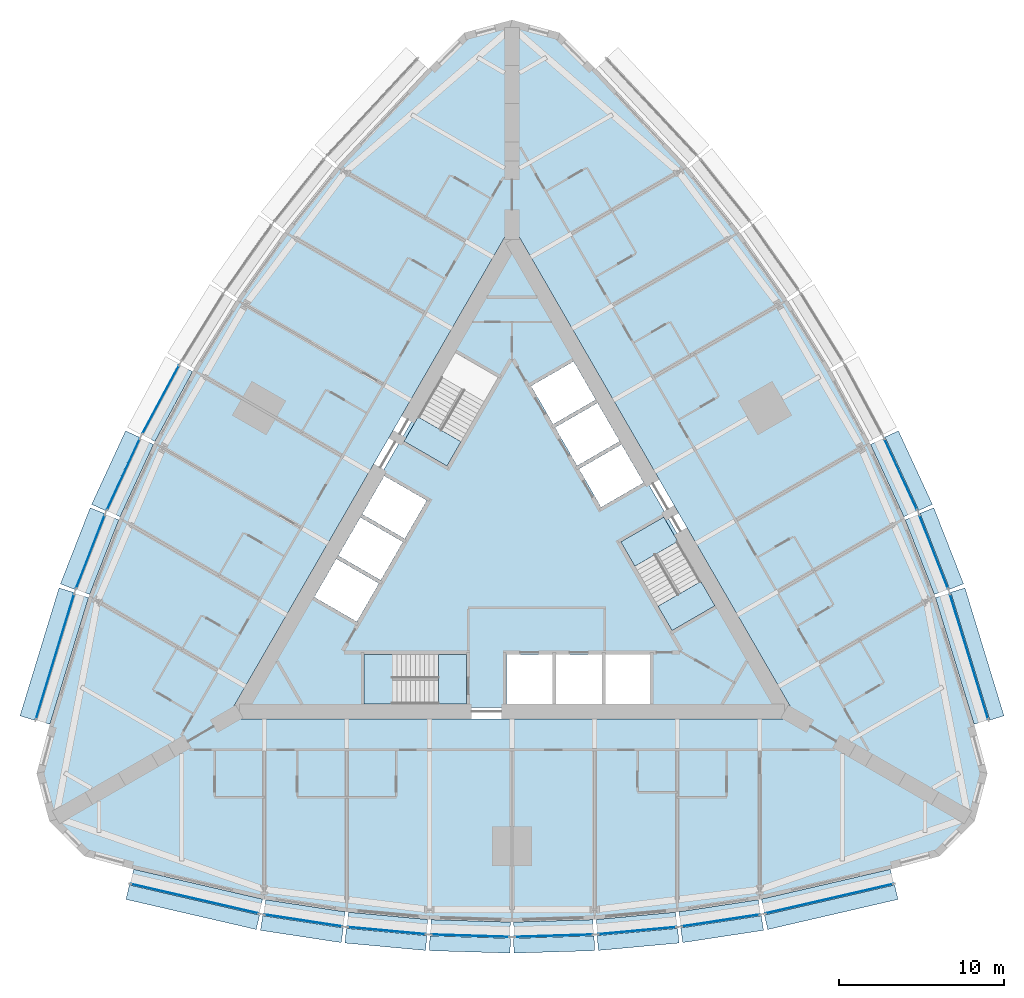
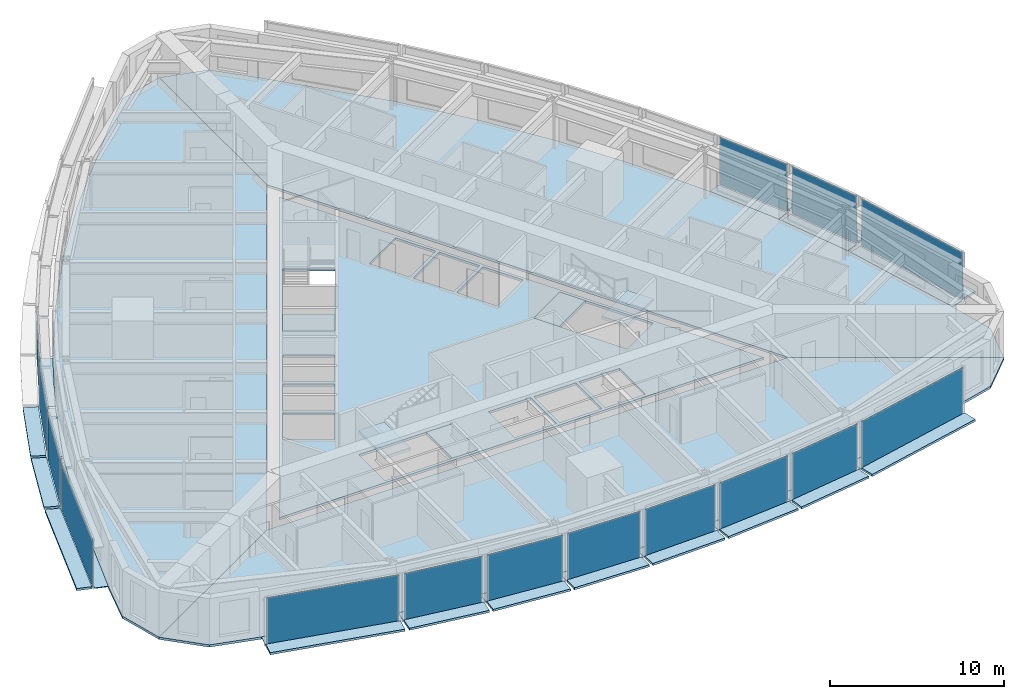
# One storey, part 6 of 14: 44 plates, 9 slabs, 18 elements without a shape of their own.
"""IFC4 building model written with IfcOpenShell, lengths in metres."""

from ifc_helpers import new_model, si_unit, direction, frame, origin, origin_2d, place, context, subcontext, project, spatial, polyline, rectangle, outline, extrude, material, layer, layer_set, type_object, element, aggregate, save


model = new_model("IFC4")

# Units and contexts
model_context = context("Model", 3, precision=1e-05, world=origin(), true_north=direction((0.0, 1.0)))
body_context = subcontext(model_context, "Body", "Model", "MODEL_VIEW")
ifc_project = project(units=[si_unit("LENGTHUNIT", "METRE"), si_unit("AREAUNIT", "SQUARE_METRE"), si_unit("VOLUMEUNIT", "CUBIC_METRE"), si_unit("PLANEANGLEUNIT", "RADIAN"), si_unit("MASSUNIT", "GRAM", prefix="KILO")], contexts=[model_context])

# Site, building, storey
site_placement = place(None, origin())
site = spatial("IfcSite", under=ifc_project, at=site_placement, CompositionType="ELEMENT")
building_placement = place(site_placement, origin())
building = spatial("IfcBuilding", under=site, at=building_placement, Name="Trikona Tower", CompositionType="ELEMENT")
storey_placement = place(building_placement, frame((0.0, 0.0, 42.10009765625)))
storey = spatial("IfcBuildingStorey", under=building, at=storey_placement, Name="L09", CompositionType="ELEMENT", Elevation=42.10009765625)

# Plates
ifc_material_1 = material(Name="Aluminium bar grating", Category="aluminium")
ifc_layer_1 = layer(ifc_material_1, 0.050048828125)
ifc_layer_set_1 = layer_set([ifc_layer_1], Name="Cavity catwalk grating")
plate_type_1 = type_object("IfcPlateType", Name="Cavity catwalk grating", PredefinedType="USERDEFINED", material=ifc_layer_set_1)
plate_1_placement = place(storey_placement, frame((-19.09228515625, -20.377197265625, -0.05029296875), z_axis=(0.0, 0.0, 1.0), x_axis=(0.974277718622, -0.225350675607, 0.0)))
element("IfcPlate", 1, at=plate_1_placement, inside=storey, type_object=plate_type_1, Name="Cavity catwalk L09-00", ObjectType="CATWALK GRATING", PredefinedType="USERDEFINED", context=body_context, shape_type="SweptSolid", body=[
    extrude(rectangle(XDim=8.01123046875, YDim=0.820068359375, at=origin_2d()), origin(), (0.0, 0.0, 1.0), 0.050048828125),
])
plate_2_placement = place(storey_placement, frame((-12.561767578125, -21.688720703125, -0.05029296875), z_axis=(0.0, 0.0, 1.0), x_axis=(0.988617896768, -0.150448177754, 0.0)))
element("IfcPlate", 2, at=plate_2_placement, inside=storey, type_object=plate_type_1, Name="Cavity catwalk L09-01", ObjectType="CATWALK GRATING", PredefinedType="USERDEFINED", context=body_context, shape_type="SweptSolid", body=[
    extrude(rectangle(XDim=4.857666015625, YDim=0.820068359375, at=origin_2d()), origin(), (0.0, 0.0, 1.0), 0.050048828125),
])
plate_3_placement = place(storey_placement, frame((-7.537353515625, -22.300537109375, -0.05029296875), z_axis=(0.0, 0.0, 1.0), x_axis=(0.995858098326, -0.090921108655, 0.0)))
element("IfcPlate", 3, at=plate_3_placement, inside=storey, type_object=plate_type_1, Name="Cavity catwalk L09-02", ObjectType="CATWALK GRATING", PredefinedType="USERDEFINED", context=body_context, shape_type="SweptSolid", body=[
    extrude(rectangle(XDim=4.82080078125, YDim=0.820068359375, at=origin_2d()), origin(), (0.0, 0.0, 1.0), 0.050048828125),
])
for number, where, z_axis, x_axis, name in (
    (4, (-2.512451171875, -22.606201171875, -0.05029296875), (0.0, 0.0, 1.0), (0.999537048889, -0.030425119525, 0.0), "Cavity catwalk L09-03"),
    (5, (2.512451171875, -22.606201171875, -0.05029296875), (0.0, 0.0, 1.0), (0.999537048889, 0.030425119525, 0.0), "Cavity catwalk L09-04"),
):
    element("IfcPlate", number, at=place(storey_placement, frame(where, z_axis=z_axis, x_axis=x_axis)), inside=storey, type_object=plate_type_1, Name=name, ObjectType="CATWALK GRATING", PredefinedType="USERDEFINED", context=body_context, shape_type="SweptSolid", body=[
        extrude(rectangle(XDim=4.80224609375, YDim=0.820068359375, at=origin_2d()), origin(), (0.0, 0.0, 1.0), 0.050048828125),
    ])
plate_4_placement = place(storey_placement, frame((7.537353515625, -22.300537109375, -0.05029296875), z_axis=(0.0, 0.0, 1.0), x_axis=(0.995858098326, 0.090921108655, 0.0)))
element("IfcPlate", 6, at=plate_4_placement, inside=storey, type_object=plate_type_1, Name="Cavity catwalk L09-05", ObjectType="CATWALK GRATING", PredefinedType="USERDEFINED", context=body_context, shape_type="SweptSolid", body=[
    extrude(rectangle(XDim=4.82080078125, YDim=0.820068359375, at=origin_2d()), origin(), (0.0, 0.0, 1.0), 0.050048828125),
])
plate_5_placement = place(storey_placement, frame((12.561767578125, -21.688720703125, -0.05029296875), z_axis=(0.0, 0.0, 1.0), x_axis=(0.988617896768, 0.150448177754, 0.0)))
element("IfcPlate", 7, at=plate_5_placement, inside=storey, type_object=plate_type_1, Name="Cavity catwalk L09-06", ObjectType="CATWALK GRATING", PredefinedType="USERDEFINED", context=body_context, shape_type="SweptSolid", body=[
    extrude(rectangle(XDim=4.857666015625, YDim=0.820068359375, at=origin_2d()), origin(), (0.0, 0.0, 1.0), 0.050048828125),
])
for number, where, z_axis, x_axis, name in (
    (8, (19.09228515625, -20.377197265625, -0.05029296875), (0.0, 0.0, 1.0), (0.974277718622, 0.225350675607, 0.0), "Cavity catwalk L09-07"),
    (9, (27.193359375, -6.345947265625, -0.05029296875), (0.0, 0.0, 1.0), (-0.291979449475, 0.956424592471, 0.0), "Cavity catwalk L09-12"),
):
    element("IfcPlate", number, at=place(storey_placement, frame(where, z_axis=z_axis, x_axis=x_axis)), inside=storey, type_object=plate_type_1, Name=name, ObjectType="CATWALK GRATING", PredefinedType="USERDEFINED", context=body_context, shape_type="SweptSolid", body=[
        extrude(rectangle(XDim=8.01123046875, YDim=0.820068359375, at=origin_2d()), origin(), (0.0, 0.0, 1.0), 0.050048828125),
    ])
plate_6_placement = place(storey_placement, frame((25.06396484375, -0.034423828125, -0.05029296875), z_axis=(0.0, 0.0, 1.0), x_axis=(-0.364008876551, 0.931395478726, 0.0)))
element("IfcPlate", 10, at=plate_6_placement, inside=storey, type_object=plate_type_1, Name="Cavity catwalk L09-13", ObjectType="CATWALK GRATING", PredefinedType="USERDEFINED", context=body_context, shape_type="SweptSolid", body=[
    extrude(rectangle(XDim=4.857666015625, YDim=0.820068359375, at=origin_2d()), origin(), (0.0, 0.0, 1.0), 0.050048828125),
])
plate_7_placement = place(storey_placement, frame((23.081298828125, 4.622802734375, -0.05029296875), z_axis=(0.0, 0.0, 1.0), x_axis=(-0.41919381307, 0.907896771161, 0.0)))
element("IfcPlate", 11, at=plate_7_placement, inside=storey, type_object=plate_type_1, Name="Cavity catwalk L09-14", ObjectType="CATWALK GRATING", PredefinedType="USERDEFINED", context=body_context, shape_type="SweptSolid", body=[
    extrude(rectangle(XDim=4.82080078125, YDim=0.820068359375, at=origin_2d()), origin(), (0.0, 0.0, 1.0), 0.050048828125),
])
plate_8_placement = place(storey_placement, frame((-20.833740234375, 9.127197265625, -0.05029296875), z_axis=(0.0, 0.0, 1.0), x_axis=(-0.473422672721, -0.880835383572, 0.0)))
element("IfcPlate", 12, at=plate_8_placement, inside=storey, type_object=plate_type_1, Name="Cavity catwalk L09-28", ObjectType="CATWALK GRATING", PredefinedType="USERDEFINED", context=body_context, shape_type="SweptSolid", body=[
    extrude(rectangle(XDim=4.80224609375, YDim=0.820068359375, at=origin_2d()), origin(), (0.0, 0.0, 1.0), 0.050048828125),
])
plate_9_placement = place(storey_placement, frame((-23.081298828125, 4.622802734375, -0.05029296875), z_axis=(0.0, 0.0, 1.0), x_axis=(-0.41919381307, -0.907896771161, 0.0)))
element("IfcPlate", 13, at=plate_9_placement, inside=storey, type_object=plate_type_1, Name="Cavity catwalk L09-29", ObjectType="CATWALK GRATING", PredefinedType="USERDEFINED", context=body_context, shape_type="SweptSolid", body=[
    extrude(rectangle(XDim=4.82080078125, YDim=0.820068359375, at=origin_2d()), origin(), (0.0, 0.0, 1.0), 0.050048828125),
])
plate_10_placement = place(storey_placement, frame((-25.06396484375, -0.034423828125, -0.05029296875), z_axis=(0.0, 0.0, 1.0), x_axis=(-0.364008876551, -0.931395478726, 0.0)))
element("IfcPlate", 14, at=plate_10_placement, inside=storey, type_object=plate_type_1, Name="Cavity catwalk L09-30", ObjectType="CATWALK GRATING", PredefinedType="USERDEFINED", context=body_context, shape_type="SweptSolid", body=[
    extrude(rectangle(XDim=4.857666015625, YDim=0.820068359375, at=origin_2d()), origin(), (0.0, 0.0, 1.0), 0.050048828125),
])
plate_11_placement = place(storey_placement, frame((-27.193359375, -6.345947265625, -0.05029296875), z_axis=(0.0, 0.0, 1.0), x_axis=(-0.291979449475, -0.956424592471, 0.0)))
element("IfcPlate", 15, at=plate_11_placement, inside=storey, type_object=plate_type_1, Name="Cavity catwalk L09-31", ObjectType="CATWALK GRATING", PredefinedType="USERDEFINED", context=body_context, shape_type="SweptSolid", body=[
    extrude(rectangle(XDim=8.01123046875, YDim=0.820068359375, at=origin_2d()), origin(), (0.0, 0.0, 1.0), 0.050048828125),
])

# Slabs
ifc_material_2 = material(Name="Concrete f'c 5000 psi lightweight on composite steel deck", Category="concrete")
ifc_layer_2 = layer(ifc_material_2, 0.1650390625)
ifc_layer_set_2 = layer_set([ifc_layer_2], Name="Composite floor slab 165")
slab_type_1 = type_object("IfcSlabType", Name="Composite floor slab 165", PredefinedType="FLOOR", material=ifc_layer_set_2)
slab_1_placement = place(storey_placement, frame((0.0, 0.0, -0.1650390625)))
element("IfcSlab", 16, at=slab_1_placement, inside=storey, type_object=slab_type_1, Name="Floor slab L09 core", PredefinedType="FLOOR", context=body_context, shape_type="SweptSolid", body=[
    extrude(outline(polyline([(-16.06689453125, -9.2763671875), (16.06689453125, -9.2763671875), (0.0, 18.552490234375), (-16.06689453125, -9.2763671875)]), holes=[polyline([(12.285400390625, -3.126220703125), (9.185302734375, 2.2431640625), (6.587158203125, 0.7431640625), (9.687255859375, -4.626220703125), (12.285400390625, -3.126220703125)]), polyline([(8.340087890625, -9.06640625), (8.340087890625, -6.086181640625), (5.659912109375, -6.086181640625), (5.659912109375, -9.06640625), (8.340087890625, -9.06640625)]), polyline([(5.390869140625, 2.835205078125), (7.9716796875, 4.3251953125), (6.631591796875, 6.646240234375), (4.05078125, 5.15625), (5.390869140625, 2.835205078125)]), polyline([(2.600830078125, 7.667724609375), (3.94091796875, 5.3466796875), (6.521484375, 6.8369140625), (5.181640625, 9.15771484375), (2.600830078125, 7.667724609375)]), polyline([(5.43994140625, -6.086181640625), (2.659912109375, -6.086181640625), (2.659912109375, -9.06640625), (5.43994140625, -9.06640625), (5.43994140625, -6.086181640625)]), polyline([(3.731689453125, 11.669189453125), (1.15087890625, 10.17919921875), (2.490966796875, 7.858154296875), (5.071533203125, 9.34814453125), (3.731689453125, 11.669189453125)]), polyline([(-0.340087890625, -6.086181640625), (-0.340087890625, -9.06640625), (2.43994140625, -9.06640625), (2.43994140625, -6.086181640625), (-0.340087890625, -6.086181640625)]), polyline([(-3.435302734375, 12.202392578125), (-6.535400390625, 6.8330078125), (-3.937255859375, 5.3330078125), (-0.837158203125, 10.702392578125), (-3.435302734375, 12.202392578125)]), polyline([(-8.949951171875, -9.076416015625), (-2.75, -9.076416015625), (-2.75, -6.076416015625), (-8.949951171875, -6.076416015625), (-8.949951171875, -9.076416015625)]), polyline([(-5.15087890625, 3.2509765625), (-7.731689453125, 4.740966796875), (-9.071533203125, 2.419921875), (-6.490966796875, 0.929931640625), (-5.15087890625, 3.2509765625)]), polyline([(-7.94091796875, -1.581298828125), (-6.600830078125, 0.739501953125), (-9.181640625, 2.2294921875), (-10.521484375, -0.09130859375), (-7.94091796875, -1.581298828125)]), polyline([(-11.9716796875, -2.602783203125), (-9.390869140625, -4.093017578125), (-8.05078125, -1.77197265625), (-10.631591796875, -0.281982421875), (-11.9716796875, -2.602783203125)])]), origin(), (0.0, 0.0, 1.0), 0.1650390625),
])
slab_2_placement = place(storey_placement, frame((0.0, 0.0, -0.1650390625)))
element("IfcSlab", 17, at=slab_2_placement, inside=storey, type_object=slab_type_1, Name="Floor slab L09 south", PredefinedType="FLOOR", context=body_context, shape_type="SweptSolid", body=[
    extrude(outline(polyline([(25.88671875, -18.279052734375), (28.0, -16.165771484375), (17.279296875, -9.976318359375), (-17.279296875, -9.976318359375), (-28.0, -16.165771484375), (-25.88671875, -18.279052734375), (-23.0, -19.052490234375), (-15.0, -20.903076171875), (-10.0, -21.663818359375), (-5.0, -22.120361328125), (0.0, -22.272705078125), (5.0, -22.120361328125), (10.0, -21.663818359375), (15.0, -20.903076171875), (23.0, -19.052490234375), (25.88671875, -18.279052734375)])), origin(), (0.0, 0.0, 1.0), 0.1650390625),
])
slab_3_placement = place(storey_placement, frame((0.0, 0.0, -0.1650390625)))
element("IfcSlab", 18, at=slab_3_placement, inside=storey, type_object=slab_type_1, Name="Floor slab L09 north-east", PredefinedType="FLOOR", context=body_context, shape_type="SweptSolid", body=[
    extrude(outline(polyline([(2.88671875, 31.55810546875), (0.0, 32.33154296875), (0.0, 19.95263671875), (17.279296875, -9.976318359375), (28.0, -16.165771484375), (28.7734375, -13.279052734375), (28.0, -10.392333984375), (25.6025390625, -2.538818359375), (23.761474609375, 2.171630859375), (21.65673828125, 6.72998046875), (19.28857421875, 11.13623046875), (16.65673828125, 15.390380859375), (13.761474609375, 19.4921875), (10.6025390625, 23.44189453125), (5.0, 29.44482421875), (2.88671875, 31.55810546875)])), origin(), (0.0, 0.0, 1.0), 0.1650390625),
])
slab_4_placement = place(storey_placement, frame((0.0, 0.0, -0.1650390625)))
element("IfcSlab", 19, at=slab_4_placement, inside=storey, type_object=slab_type_1, Name="Floor slab L09 north-west", PredefinedType="FLOOR", context=body_context, shape_type="SweptSolid", body=[
    extrude(outline(polyline([(0.0, 19.95263671875), (0.0, 32.33154296875), (-2.88671875, 31.55810546875), (-5.0, 29.44482421875), (-10.6025390625, 23.44189453125), (-13.761474609375, 19.4921875), (-16.65673828125, 15.390380859375), (-19.28857421875, 11.13623046875), (-21.65673828125, 6.72998046875), (-23.761474609375, 2.171630859375), (-25.6025390625, -2.538818359375), (-28.0, -10.392333984375), (-28.7734375, -13.279052734375), (-28.0, -16.165771484375), (-17.279296875, -9.976318359375), (0.0, 19.95263671875)])), origin(), (0.0, 0.0, 1.0), 0.1650390625),
])

# Curtain wall, plate
ifc_material_3 = material(Name="Aluminium curtain wall system", Category="aluminium")
curtain_wall_type = type_object("IfcCurtainWallType", Name="Curtain wall DS1", PredefinedType="NOTDEFINED", material=ifc_material_3)
curtain_wall_1_placement = place(storey_placement, origin())
curtain_wall_1 = element("IfcCurtainWall", 20, at=curtain_wall_1_placement, inside=storey, type_object=curtain_wall_type, Name="Curtain wall DS1 L09", PredefinedType="NOTDEFINED")
ifc_material_4 = material(Name="Laminated clear glass", Category="glass")
ifc_layer_3 = layer(ifc_material_4, 0.028076171875)
ifc_layer_set_3 = layer_set([ifc_layer_3], Name="Glass panel DS1")
plate_type_2 = type_object("IfcPlateType", Name="Glass panel DS1", PredefinedType="CURTAIN_PANEL", material=ifc_layer_set_3)
plate_12_placement = place(storey_placement, frame((-19.202880859375, -20.854736328125, 0.0), z_axis=(0.0, 0.0, 1.0), x_axis=(0.974279427173, -0.225343288756, 0.0)))
plate_12 = element("IfcPlate", 21, at=plate_12_placement, type_object=plate_type_2, Name="CW-DS1 panel 1.1", PredefinedType="CURTAIN_PANEL", context=body_context, shape_type="SweptSolid", body=[
    extrude(rectangle(XDim=7.93115234375, YDim=0.028076171875, at=origin_2d()), origin(), (0.0, 0.0, 1.0), 3.320068359375),
])
aggregate(curtain_wall_1, [plate_12])

curtain_wall_2_placement = place(storey_placement, origin())
curtain_wall_2 = element("IfcCurtainWall", 22, at=curtain_wall_2_placement, inside=storey, type_object=curtain_wall_type, Name="Curtain wall DS1 L09", PredefinedType="NOTDEFINED")
plate_13_placement = place(storey_placement, frame((-12.635498046875, -22.173095703125, 0.0), z_axis=(0.0, 0.0, 1.0), x_axis=(0.988619492156, -0.150437693845, 0.0)))
plate_13 = element("IfcPlate", 23, at=plate_13_placement, type_object=plate_type_2, Name="CW-DS1 panel 1.1", PredefinedType="CURTAIN_PANEL", context=body_context, shape_type="SweptSolid", body=[
    extrude(rectangle(XDim=4.777587890625, YDim=0.028076171875, at=origin_2d()), origin(), (0.0, 0.0, 1.0), 3.320068359375),
])
aggregate(curtain_wall_2, [plate_13])

curtain_wall_3_placement = place(storey_placement, origin())
curtain_wall_3 = element("IfcCurtainWall", 24, at=curtain_wall_3_placement, inside=storey, type_object=curtain_wall_type, Name="Curtain wall DS1 L09", PredefinedType="NOTDEFINED")
plate_14_placement = place(storey_placement, frame((-7.581787109375, -22.788330078125, 0.0), z_axis=(0.0, 0.0, 1.0), x_axis=(0.995857840485, -0.090923932737, 0.0)))
plate_14 = element("IfcPlate", 25, at=plate_14_placement, type_object=plate_type_2, Name="CW-DS1 panel 1.1", PredefinedType="CURTAIN_PANEL", context=body_context, shape_type="SweptSolid", body=[
    extrude(rectangle(XDim=4.74072265625, YDim=0.028076171875, at=origin_2d()), origin(), (0.0, 0.0, 1.0), 3.320068359375),
])
aggregate(curtain_wall_3, [plate_14])

curtain_wall_4_placement = place(storey_placement, origin())
curtain_wall_4 = element("IfcCurtainWall", 26, at=curtain_wall_4_placement, inside=storey, type_object=curtain_wall_type, Name="Curtain wall DS1 L09", PredefinedType="NOTDEFINED")
plate_15_placement = place(storey_placement, frame((-2.52734375, -23.09619140625, 0.0), z_axis=(0.0, 0.0, 1.0), x_axis=(0.999536695965, -0.030436711692, 0.0)))
plate_15 = element("IfcPlate", 27, at=plate_15_placement, type_object=plate_type_2, Name="CW-DS1 panel 1.1", PredefinedType="CURTAIN_PANEL", context=body_context, shape_type="SweptSolid", body=[
    extrude(rectangle(XDim=4.72216796875, YDim=0.028076171875, at=origin_2d()), origin(), (0.0, 0.0, 1.0), 3.320068359375),
])
aggregate(curtain_wall_4, [plate_15])

curtain_wall_5_placement = place(storey_placement, origin())
curtain_wall_5 = element("IfcCurtainWall", 28, at=curtain_wall_5_placement, inside=storey, type_object=curtain_wall_type, Name="Curtain wall DS1 L09", PredefinedType="NOTDEFINED")
plate_16_placement = place(storey_placement, frame((2.52734375, -23.09619140625, 0.0), z_axis=(0.0, 0.0, 1.0), x_axis=(0.999536695965, 0.030436711692, 0.0)))
plate_16 = element("IfcPlate", 29, at=plate_16_placement, type_object=plate_type_2, Name="CW-DS1 panel 1.1", PredefinedType="CURTAIN_PANEL", context=body_context, shape_type="SweptSolid", body=[
    extrude(rectangle(XDim=4.72216796875, YDim=0.028076171875, at=origin_2d()), origin(), (0.0, 0.0, 1.0), 3.320068359375),
])
aggregate(curtain_wall_5, [plate_16])

curtain_wall_6_placement = place(storey_placement, origin())
curtain_wall_6 = element("IfcCurtainWall", 30, at=curtain_wall_6_placement, inside=storey, type_object=curtain_wall_type, Name="Curtain wall DS1 L09", PredefinedType="NOTDEFINED")
plate_17_placement = place(storey_placement, frame((7.581787109375, -22.788330078125, 0.0), z_axis=(0.0, 0.0, 1.0), x_axis=(0.995857840485, 0.090923932737, 0.0)))
plate_17 = element("IfcPlate", 31, at=plate_17_placement, type_object=plate_type_2, Name="CW-DS1 panel 1.1", PredefinedType="CURTAIN_PANEL", context=body_context, shape_type="SweptSolid", body=[
    extrude(rectangle(XDim=4.74072265625, YDim=0.028076171875, at=origin_2d()), origin(), (0.0, 0.0, 1.0), 3.320068359375),
])
aggregate(curtain_wall_6, [plate_17])

curtain_wall_7_placement = place(storey_placement, origin())
curtain_wall_7 = element("IfcCurtainWall", 32, at=curtain_wall_7_placement, inside=storey, type_object=curtain_wall_type, Name="Curtain wall DS1 L09", PredefinedType="NOTDEFINED")
plate_18_placement = place(storey_placement, frame((12.635498046875, -22.173095703125, 0.0), z_axis=(0.0, 0.0, 1.0), x_axis=(0.988619492156, 0.150437693845, 0.0)))
plate_18 = element("IfcPlate", 33, at=plate_18_placement, type_object=plate_type_2, Name="CW-DS1 panel 1.1", PredefinedType="CURTAIN_PANEL", context=body_context, shape_type="SweptSolid", body=[
    extrude(rectangle(XDim=4.777587890625, YDim=0.028076171875, at=origin_2d()), origin(), (0.0, 0.0, 1.0), 3.320068359375),
])
aggregate(curtain_wall_7, [plate_18])

curtain_wall_8_placement = place(storey_placement, origin())
curtain_wall_8 = element("IfcCurtainWall", 34, at=curtain_wall_8_placement, inside=storey, type_object=curtain_wall_type, Name="Curtain wall DS1 L09", PredefinedType="NOTDEFINED")
plate_19_placement = place(storey_placement, frame((19.202880859375, -20.854736328125, 0.0), z_axis=(0.0, 0.0, 1.0), x_axis=(0.974279427173, 0.225343288756, 0.0)))
plate_19 = element("IfcPlate", 35, at=plate_19_placement, type_object=plate_type_2, Name="CW-DS1 panel 1.1", PredefinedType="CURTAIN_PANEL", context=body_context, shape_type="SweptSolid", body=[
    extrude(rectangle(XDim=7.93115234375, YDim=0.028076171875, at=origin_2d()), origin(), (0.0, 0.0, 1.0), 3.320068359375),
])
aggregate(curtain_wall_8, [plate_19])

curtain_wall_9_placement = place(storey_placement, origin())
curtain_wall_9 = element("IfcCurtainWall", 36, at=curtain_wall_9_placement, inside=storey, type_object=curtain_wall_type, Name="Curtain wall DS1 L09", PredefinedType="NOTDEFINED")
plate_20_placement = place(storey_placement, frame((27.662109375, -6.202880859375, 0.0), z_axis=(0.0, 0.0, 1.0), x_axis=(-0.291984287868, 0.956423115383, 0.0)))
plate_20 = element("IfcPlate", 37, at=plate_20_placement, type_object=plate_type_2, Name="CW-DS1 panel 1.1", PredefinedType="CURTAIN_PANEL", context=body_context, shape_type="SweptSolid", body=[
    extrude(rectangle(XDim=7.93115234375, YDim=0.028076171875, at=origin_2d()), origin(), (0.0, 0.0, 1.0), 3.320068359375),
])
aggregate(curtain_wall_9, [plate_20])

curtain_wall_10_placement = place(storey_placement, origin())
curtain_wall_10 = element("IfcCurtainWall", 38, at=curtain_wall_10_placement, inside=storey, type_object=curtain_wall_type, Name="Curtain wall DS1 L09", PredefinedType="NOTDEFINED")
plate_21_placement = place(storey_placement, frame((25.520263671875, 0.14404296875, 0.0), z_axis=(0.0, 0.0, 1.0), x_axis=(-0.36400756977, 0.931395989443, 0.0)))
plate_21 = element("IfcPlate", 39, at=plate_21_placement, type_object=plate_type_2, Name="CW-DS1 panel 1.1", PredefinedType="CURTAIN_PANEL", context=body_context, shape_type="SweptSolid", body=[
    extrude(rectangle(XDim=4.777587890625, YDim=0.028076171875, at=origin_2d()), origin(), (0.0, 0.0, 1.0), 3.320068359375),
])
aggregate(curtain_wall_10, [plate_21])

curtain_wall_11_placement = place(storey_placement, origin())
curtain_wall_11 = element("IfcCurtainWall", 40, at=curtain_wall_11_placement, inside=storey, type_object=curtain_wall_type, Name="Curtain wall DS1 L09", PredefinedType="NOTDEFINED")
plate_22_placement = place(storey_placement, frame((23.5263671875, 4.828125, 0.0), z_axis=(0.0, 0.0, 1.0), x_axis=(-0.419190155352, 0.907898459992, 0.0)))
plate_22 = element("IfcPlate", 41, at=plate_22_placement, type_object=plate_type_2, Name="CW-DS1 panel 1.1", PredefinedType="CURTAIN_PANEL", context=body_context, shape_type="SweptSolid", body=[
    extrude(rectangle(XDim=4.740966796875, YDim=0.028076171875, at=origin_2d()), origin(), (0.0, 0.0, 1.0), 3.320068359375),
])
aggregate(curtain_wall_11, [plate_22])

curtain_wall_12_placement = place(storey_placement, origin())
curtain_wall_12 = element("IfcCurtainWall", 42, at=curtain_wall_12_placement, inside=storey, type_object=curtain_wall_type, Name="Curtain wall DS1 L09", PredefinedType="NOTDEFINED")
plate_23_placement = place(storey_placement, frame((-21.265380859375, 9.359130859375, 0.0), z_axis=(0.0, 0.0, 1.0), x_axis=(-0.473408350896, -0.880843080975, 0.0)))
plate_23 = element("IfcPlate", 43, at=plate_23_placement, type_object=plate_type_2, Name="CW-DS1 panel 1.1", PredefinedType="CURTAIN_PANEL", context=body_context, shape_type="SweptSolid", body=[
    extrude(rectangle(XDim=4.72216796875, YDim=0.028076171875, at=origin_2d()), origin(), (0.0, 0.0, 1.0), 3.320068359375),
])
aggregate(curtain_wall_12, [plate_23])

curtain_wall_13_placement = place(storey_placement, origin())
curtain_wall_13 = element("IfcCurtainWall", 44, at=curtain_wall_13_placement, inside=storey, type_object=curtain_wall_type, Name="Curtain wall DS1 L09", PredefinedType="NOTDEFINED")
plate_24_placement = place(storey_placement, frame((-23.5263671875, 4.828125, 0.0), z_axis=(0.0, 0.0, 1.0), x_axis=(-0.419190155352, -0.907898459992, 0.0)))
plate_24 = element("IfcPlate", 45, at=plate_24_placement, type_object=plate_type_2, Name="CW-DS1 panel 1.1", PredefinedType="CURTAIN_PANEL", context=body_context, shape_type="SweptSolid", body=[
    extrude(rectangle(XDim=4.740966796875, YDim=0.028076171875, at=origin_2d()), origin(), (0.0, 0.0, 1.0), 3.320068359375),
])
aggregate(curtain_wall_13, [plate_24])

curtain_wall_14_placement = place(storey_placement, origin())
curtain_wall_14 = element("IfcCurtainWall", 46, at=curtain_wall_14_placement, inside=storey, type_object=curtain_wall_type, Name="Curtain wall DS1 L09", PredefinedType="NOTDEFINED")
plate_25_placement = place(storey_placement, frame((-25.520263671875, 0.14404296875, 0.0), z_axis=(0.0, 0.0, 1.0), x_axis=(-0.36400756977, -0.931395989443, 0.0)))
plate_25 = element("IfcPlate", 47, at=plate_25_placement, type_object=plate_type_2, Name="CW-DS1 panel 1.1", PredefinedType="CURTAIN_PANEL", context=body_context, shape_type="SweptSolid", body=[
    extrude(rectangle(XDim=4.777587890625, YDim=0.028076171875, at=origin_2d()), origin(), (0.0, 0.0, 1.0), 3.320068359375),
])
aggregate(curtain_wall_14, [plate_25])

curtain_wall_15_placement = place(storey_placement, origin())
curtain_wall_15 = element("IfcCurtainWall", 48, at=curtain_wall_15_placement, inside=storey, type_object=curtain_wall_type, Name="Curtain wall DS1 L09", PredefinedType="NOTDEFINED")
plate_26_placement = place(storey_placement, frame((-27.662109375, -6.202880859375, 0.0), z_axis=(0.0, 0.0, 1.0), x_axis=(-0.291984287868, -0.956423115383, 0.0)))
plate_26 = element("IfcPlate", 49, at=plate_26_placement, type_object=plate_type_2, Name="CW-DS1 panel 1.1", PredefinedType="CURTAIN_PANEL", context=body_context, shape_type="SweptSolid", body=[
    extrude(rectangle(XDim=7.93115234375, YDim=0.028076171875, at=origin_2d()), origin(), (0.0, 0.0, 1.0), 3.320068359375),
])
aggregate(curtain_wall_15, [plate_26])

# Plates
ifc_material_5 = material(Name="Aluminium plate fin, pale anodised, on stainless steel outriggers", Category="steel")
ifc_layer_4 = layer(ifc_material_5, 0.14990234375)
ifc_layer_set_4 = layer_set([ifc_layer_4], Name="Outer skin fin 900")
plate_type_3 = type_object("IfcPlateType", Name="Outer skin fin 900", PredefinedType="USERDEFINED", material=ifc_layer_set_4)
plate_27_placement = place(storey_placement, frame((-19.322265625, -21.37109375, 0.0), z_axis=(0.0, 0.0, 1.0), x_axis=(0.974277718622, -0.225350675607, 0.0)))
element("IfcPlate", 50, at=plate_27_placement, inside=storey, type_object=plate_type_3, Name="Outer skin fin L09-00", ObjectType="FIN", PredefinedType="USERDEFINED", context=body_context, shape_type="SweptSolid", body=[
    extrude(rectangle(XDim=8.09130859375, YDim=0.89990234375, at=origin_2d()), origin(), (0.0, 0.0, 1.0), 0.14990234375),
])
plate_28_placement = place(storey_placement, frame((-12.715087890625, -22.697265625, 0.0), z_axis=(0.0, 0.0, 1.0), x_axis=(0.988617896768, -0.150448177754, 0.0)))
element("IfcPlate", 51, at=plate_28_placement, inside=storey, type_object=plate_type_3, Name="Outer skin fin L09-01", ObjectType="FIN", PredefinedType="USERDEFINED", context=body_context, shape_type="SweptSolid", body=[
    extrude(rectangle(XDim=4.9375, YDim=0.89990234375, at=origin_2d()), origin(), (0.0, 0.0, 1.0), 0.14990234375),
])
plate_29_placement = place(storey_placement, frame((-7.6298828125, -23.316162109375, 0.0), z_axis=(0.0, 0.0, 1.0), x_axis=(0.995858098326, -0.090921108655, 0.0)))
element("IfcPlate", 52, at=plate_29_placement, inside=storey, type_object=plate_type_3, Name="Outer skin fin L09-02", ObjectType="FIN", PredefinedType="USERDEFINED", context=body_context, shape_type="SweptSolid", body=[
    extrude(rectangle(XDim=4.90087890625, YDim=0.89990234375, at=origin_2d()), origin(), (0.0, 0.0, 1.0), 0.14990234375),
])
for number, where, z_axis, x_axis, name in (
    (53, (-2.54345703125, -23.625732421875, 0.0), (0.0, 0.0, 1.0), (0.999537048889, -0.030425119525, 0.0), "Outer skin fin L09-03"),
    (54, (2.54345703125, -23.625732421875, 0.0), (0.0, 0.0, 1.0), (0.999537048889, 0.030425119525, 0.0), "Outer skin fin L09-04"),
):
    element("IfcPlate", number, at=place(storey_placement, frame(where, z_axis=z_axis, x_axis=x_axis)), inside=storey, type_object=plate_type_3, Name=name, ObjectType="FIN", PredefinedType="USERDEFINED", context=body_context, shape_type="SweptSolid", body=[
        extrude(rectangle(XDim=4.88232421875, YDim=0.89990234375, at=origin_2d()), origin(), (0.0, 0.0, 1.0), 0.14990234375),
    ])
plate_30_placement = place(storey_placement, frame((7.6298828125, -23.316162109375, 0.0), z_axis=(0.0, 0.0, 1.0), x_axis=(0.995858098326, 0.090921108655, 0.0)))
element("IfcPlate", 55, at=plate_30_placement, inside=storey, type_object=plate_type_3, Name="Outer skin fin L09-05", ObjectType="FIN", PredefinedType="USERDEFINED", context=body_context, shape_type="SweptSolid", body=[
    extrude(rectangle(XDim=4.90087890625, YDim=0.89990234375, at=origin_2d()), origin(), (0.0, 0.0, 1.0), 0.14990234375),
])
plate_31_placement = place(storey_placement, frame((12.715087890625, -22.697265625, 0.0), z_axis=(0.0, 0.0, 1.0), x_axis=(0.988617896768, 0.150448177754, 0.0)))
element("IfcPlate", 56, at=plate_31_placement, inside=storey, type_object=plate_type_3, Name="Outer skin fin L09-06", ObjectType="FIN", PredefinedType="USERDEFINED", context=body_context, shape_type="SweptSolid", body=[
    extrude(rectangle(XDim=4.9375, YDim=0.89990234375, at=origin_2d()), origin(), (0.0, 0.0, 1.0), 0.14990234375),
])
for number, where, z_axis, x_axis, name in (
    (57, (19.322265625, -21.37109375, 0.0), (0.0, 0.0, 1.0), (0.974277718622, 0.225350675607, 0.0), "Outer skin fin L09-07"),
    (58, (28.1689453125, -6.048095703125, 0.0), (0.0, 0.0, 1.0), (-0.291979449475, 0.956424592471, 0.0), "Outer skin fin L09-12"),
):
    element("IfcPlate", number, at=place(storey_placement, frame(where, z_axis=z_axis, x_axis=x_axis)), inside=storey, type_object=plate_type_3, Name=name, ObjectType="FIN", PredefinedType="USERDEFINED", context=body_context, shape_type="SweptSolid", body=[
        extrude(rectangle(XDim=8.09130859375, YDim=0.89990234375, at=origin_2d()), origin(), (0.0, 0.0, 1.0), 0.14990234375),
    ])
plate_32_placement = place(storey_placement, frame((26.013916015625, 0.3369140625, 0.0), z_axis=(0.0, 0.0, 1.0), x_axis=(-0.364008876551, 0.931395478726, 0.0)))
element("IfcPlate", 59, at=plate_32_placement, inside=storey, type_object=plate_type_3, Name="Outer skin fin L09-13", ObjectType="FIN", PredefinedType="USERDEFINED", context=body_context, shape_type="SweptSolid", body=[
    extrude(rectangle(XDim=4.9375, YDim=0.89990234375, at=origin_2d()), origin(), (0.0, 0.0, 1.0), 0.14990234375),
])
for number, where, z_axis, x_axis, name in (
    (60, (24.00732421875, 5.05029296875, 0.0), (0.0, 0.0, 1.0), (-0.41919381307, 0.907896771161, 0.0), "Outer skin fin L09-14"),
    (61, (-24.00732421875, 5.05029296875, 0.0), (0.0, 0.0, 1.0), (-0.41919381307, -0.907896771161, 0.0), "Outer skin fin L09-29"),
):
    element("IfcPlate", number, at=place(storey_placement, frame(where, z_axis=z_axis, x_axis=x_axis)), inside=storey, type_object=plate_type_3, Name=name, ObjectType="FIN", PredefinedType="USERDEFINED", context=body_context, shape_type="SweptSolid", body=[
        extrude(rectangle(XDim=4.90087890625, YDim=0.89990234375, at=origin_2d()), origin(), (0.0, 0.0, 1.0), 0.14990234375),
    ])
plate_33_placement = place(storey_placement, frame((-26.013916015625, 0.3369140625, 0.0), z_axis=(0.0, 0.0, 1.0), x_axis=(-0.364008876551, -0.931395478726, 0.0)))
element("IfcPlate", 62, at=plate_33_placement, inside=storey, type_object=plate_type_3, Name="Outer skin fin L09-30", ObjectType="FIN", PredefinedType="USERDEFINED", context=body_context, shape_type="SweptSolid", body=[
    extrude(rectangle(XDim=4.9375, YDim=0.89990234375, at=origin_2d()), origin(), (0.0, 0.0, 1.0), 0.14990234375),
])
plate_34_placement = place(storey_placement, frame((-28.1689453125, -6.048095703125, 0.0), z_axis=(0.0, 0.0, 1.0), x_axis=(-0.291979449475, -0.956424592471, 0.0)))
element("IfcPlate", 63, at=plate_34_placement, inside=storey, type_object=plate_type_3, Name="Outer skin fin L09-31", ObjectType="FIN", PredefinedType="USERDEFINED", context=body_context, shape_type="SweptSolid", body=[
    extrude(rectangle(XDim=8.09130859375, YDim=0.89990234375, at=origin_2d()), origin(), (0.0, 0.0, 1.0), 0.14990234375),
])

# Stair, slabs
ifc_material_6 = material(Name="Concrete f'c 5000 psi", Category="concrete")
stair_type = type_object("IfcStairType", Name="Core stair", PredefinedType="HALF_TURN_STAIR", material=ifc_material_6)
stair_1_placement = place(storey_placement, origin())
stair_1 = element("IfcStair", 64, at=stair_1_placement, inside=storey, type_object=stair_type, Name="Stair A L09", PredefinedType="HALF_TURN_STAIR")
ifc_material_7 = material(Name="Concrete f'c 5000 psi", Category="concrete")
ifc_layer_5 = layer(ifc_material_7, 0.199951171875)
ifc_layer_set_5 = layer_set([ifc_layer_5], Name="Stair landing 200")
slab_type_2 = type_object("IfcSlabType", Name="Stair landing 200", PredefinedType="LANDING", material=ifc_layer_set_5)
slab_5_placement = place(storey_placement, frame((0.0, 0.0, -0.2001953125)))
slab_5 = element("IfcSlab", 65, at=slab_5_placement, type_object=slab_type_2, Name="ST-A landing 1", PredefinedType="LANDING", context=body_context, shape_type="SweptSolid", body=[
    extrude(outline(polyline([(-4.452880859375, -6.076416015625), (-2.75, -6.076416015625), (-2.75, -9.076416015625), (-4.452880859375, -9.076416015625), (-4.452880859375, -6.076416015625)])), origin(), (0.0, 0.0, 1.0), 0.2001953125),
])
slab_6_placement = place(storey_placement, frame((0.0, 0.0, 1.5)))
slab_6 = element("IfcSlab", 66, at=slab_6_placement, type_object=slab_type_2, Name="ST-A landing 2", PredefinedType="LANDING", context=body_context, shape_type="SweptSolid", body=[
    extrude(outline(polyline([(-8.949951171875, -6.076416015625), (-7.2470703125, -6.076416015625), (-7.2470703125, -9.076416015625), (-8.949951171875, -9.076416015625), (-8.949951171875, -6.076416015625)])), origin(), (0.0, 0.0, 1.0), 0.199951171875),
])
aggregate(stair_1, [slab_5, slab_6])

stair_2_placement = place(storey_placement, origin())
stair_2 = element("IfcStair", 67, at=stair_2_placement, inside=storey, type_object=stair_type, Name="Stair B L09", PredefinedType="HALF_TURN_STAIR")
slab_7_placement = place(storey_placement, frame((0.0, 0.0, -0.2001953125)))
slab_7 = element("IfcSlab", 68, at=slab_7_placement, type_object=slab_type_2, Name="ST-B landing 1", PredefinedType="LANDING", context=body_context, shape_type="SweptSolid", body=[
    extrude(outline(polyline([(7.438720703125, -0.731689453125), (6.587158203125, 0.7431640625), (9.185302734375, 2.2431640625), (10.036865234375, 0.768310546875), (7.438720703125, -0.731689453125)])), origin(), (0.0, 0.0, 1.0), 0.2001953125),
])
slab_8_placement = place(storey_placement, frame((0.0, 0.0, 1.5)))
slab_8 = element("IfcSlab", 69, at=slab_8_placement, type_object=slab_type_2, Name="ST-B landing 2", PredefinedType="LANDING", context=body_context, shape_type="SweptSolid", body=[
    extrude(outline(polyline([(9.687255859375, -4.626220703125), (8.835693359375, -3.1513671875), (11.433837890625, -1.6513671875), (12.285400390625, -3.126220703125), (9.687255859375, -4.626220703125)])), origin(), (0.0, 0.0, 1.0), 0.199951171875),
])
aggregate(stair_2, [slab_7, slab_8])

# Stair, slab
stair_3_placement = place(storey_placement, origin())
stair_3 = element("IfcStair", 70, at=stair_3_placement, inside=storey, type_object=stair_type, Name="Stair C L09", PredefinedType="HALF_TURN_STAIR")
slab_9_placement = place(storey_placement, frame((0.0, 0.0, -0.2001953125)))
slab_9 = element("IfcSlab", 71, at=slab_9_placement, type_object=slab_type_2, Name="ST-C landing 1", PredefinedType="LANDING", context=body_context, shape_type="SweptSolid", body=[
    extrude(outline(polyline([(-3.085693359375, 6.807861328125), (-3.937255859375, 5.3330078125), (-6.535400390625, 6.8330078125), (-5.683837890625, 8.307861328125), (-3.085693359375, 6.807861328125)])), origin(), (0.0, 0.0, 1.0), 0.2001953125),
])
aggregate(stair_3, [slab_9])

save(model, "model.ifc")
